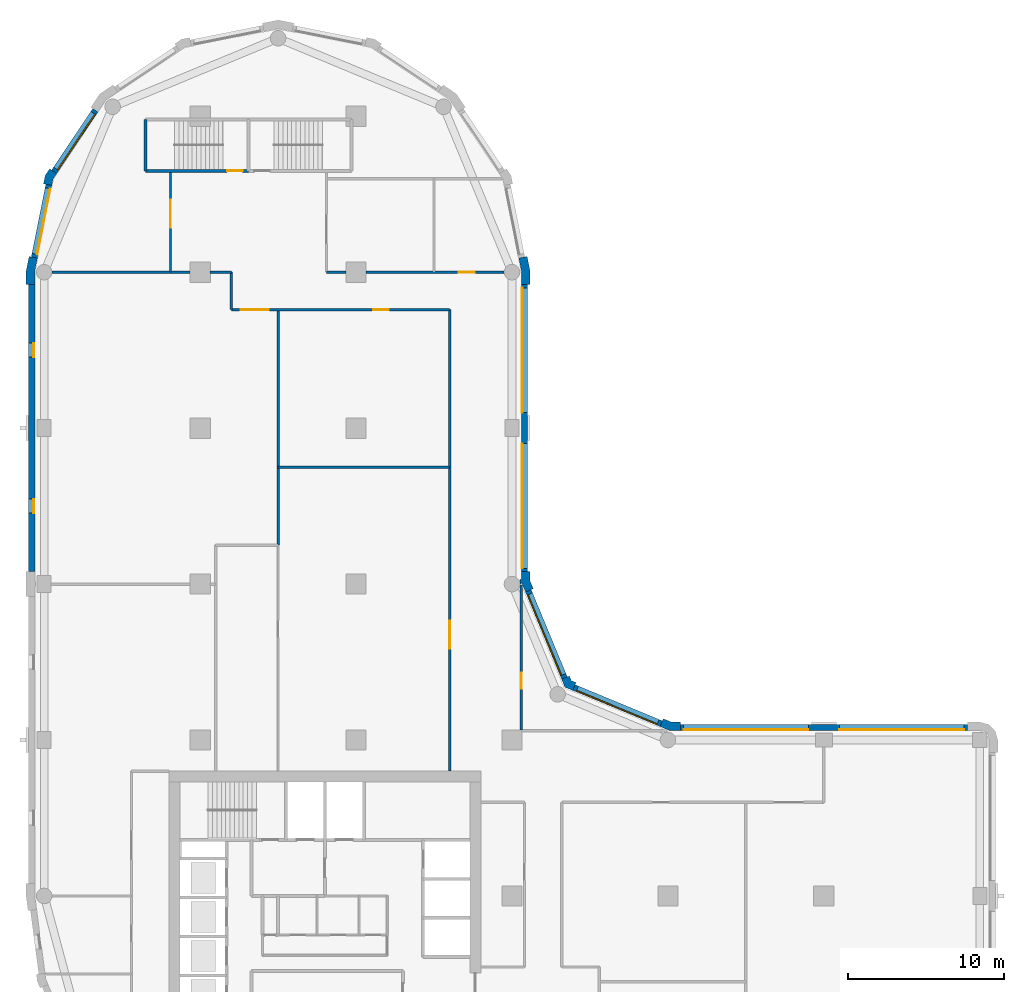
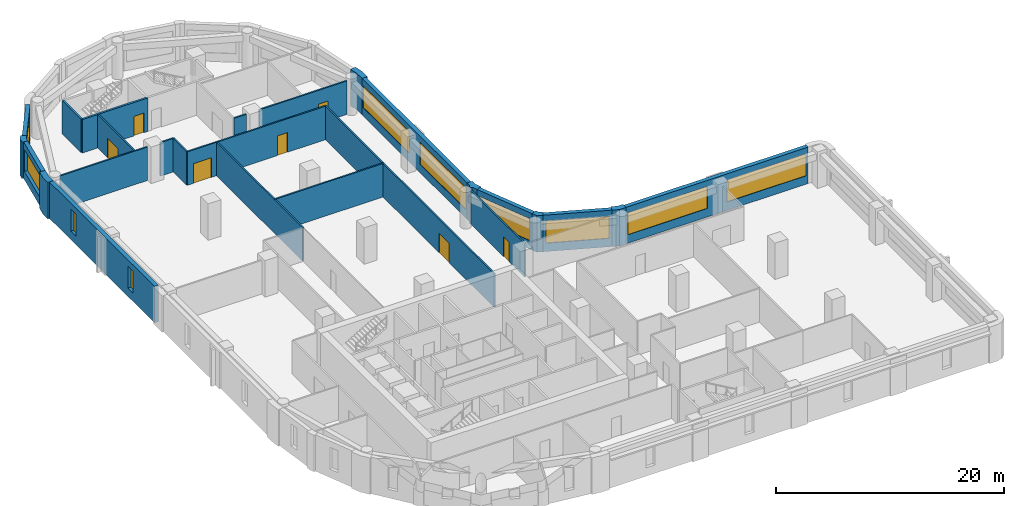
# One storey, part 5 of 9: 26 walls, 10 windows, 7 doors, 17 openings.
"""IFC4 building model written with IfcOpenShell, lengths in metres."""

from ifc_helpers import new_model, si_unit, direction, frame, frame_2d, origin, place, context, subcontext, project, spatial, polyline, rectangle, outline, extrude, material, layer, layer_set, type_object, element, fill, save


model = new_model("IFC4")

# Units and contexts
model_context = context("Model", 3, precision=1e-05, world=origin(), true_north=direction((0.0, 1.0)))
body_context = subcontext(model_context, "Body", "Model", "MODEL_VIEW")
ifc_project = project(units=[si_unit("LENGTHUNIT", "METRE"), si_unit("AREAUNIT", "SQUARE_METRE"), si_unit("VOLUMEUNIT", "CUBIC_METRE"), si_unit("PLANEANGLEUNIT", "RADIAN"), si_unit("MASSUNIT", "GRAM", prefix="KILO")], contexts=[model_context])

# Site, building, storey
site_placement = place(None, origin())
site = spatial("IfcSite", under=ifc_project, at=site_placement, CompositionType="ELEMENT")
building_placement = place(site_placement, origin())
building = spatial("IfcBuilding", under=site, at=building_placement, Name="Qaws Garden Tower", CompositionType="ELEMENT")
storey_placement = place(building_placement, frame((0.0, 0.0, 131.699951171875)))
storey = spatial("IfcBuildingStorey", under=building, at=storey_placement, Name="L31", CompositionType="ELEMENT", Elevation=131.699951171875)

# Wall, openings, windows
ifc_material_1 = material(Name="Clay facing brick masonry", Category="masonry")
ifc_layer_1 = layer(ifc_material_1, 0.39990234375)
ifc_layer_set_1 = layer_set([ifc_layer_1], Name="Clay facing brick masonry")
wall_type_1 = type_object("IfcWallType", Name="Brick infill wall 400", PredefinedType="SOLIDWALL", material=ifc_layer_set_1)
wall_1_placement = place(storey_placement, frame((59.199951171875, 30.800048828125, 0.0), z_axis=(0.0, 0.0, 1.0), x_axis=(-1.0, 0.0, 0.0)))
wall_1 = element("IfcWall", 1, at=wall_1_placement, inside=storey, type_object=wall_type_1, Name="E-L31-infill-07", PredefinedType="SOLIDWALL", context=body_context, shape_type="SweptSolid", body=[
    extrude(rectangle(XDim=18.39990234375, YDim=0.39990234375, at=frame_2d((9.199951171875, 0.0))), origin(), (0.0, 0.0, 1.0), 3.900146484375),
])
opening_1_placement = place(wall_1_placement, frame((0.199951171875, 0.0, 0.89990234375)))
opening_1 = element("IfcOpeningElement", 2, at=opening_1_placement, cuts=wall_1, Name="Opening W01", PredefinedType="OPENING", context=body_context, shape_type="SweptSolid", body=[
    extrude(rectangle(XDim=8.0, YDim=2.35009765625, at=frame_2d((4.0, 1.175048828125))), frame((0.0, 0.2099609375, 0.0), z_axis=(0.0, -1.0, 0.0), x_axis=(1.0, 0.0, 0.0)), (0.0, 0.0, 1.0), 0.419921875),
])
opening_2_placement = place(wall_1_placement, frame((10.199951171875, 0.0, 0.89990234375)))
opening_2 = element("IfcOpeningElement", 3, at=opening_2_placement, cuts=wall_1, Name="Opening W01", PredefinedType="OPENING", context=body_context, shape_type="SweptSolid", body=[
    extrude(rectangle(XDim=8.0, YDim=2.35009765625, at=frame_2d((4.0, 1.175048828125))), frame((0.0, 0.2099609375, 0.0), z_axis=(0.0, -1.0, 0.0), x_axis=(1.0, 0.0, 0.0)), (0.0, 0.0, 1.0), 0.419921875),
])
ifc_material_2 = material(Name="Aluminium framed window, clear glazing", Category="aluminium")
window_type_1 = type_object("IfcWindowType", Name="Ribbon window 8000 x 2350", PartitioningType="DOUBLE_PANEL_VERTICAL", PredefinedType="WINDOW", material=ifc_material_2)
window_1_placement = place(opening_1_placement, origin())
window_1 = element("IfcWindow", 4, at=window_1_placement, inside=storey, type_object=window_type_1, Name="E-L31-window-07-0", OverallHeight=2.35009765625, OverallWidth=8.0, PartitioningType="SINGLE_PANEL", PredefinedType="WINDOW", context=body_context, shape_type="SweptSolid", body=[
    extrude(rectangle(XDim=8.0, YDim=2.35009765625, at=frame_2d((4.0, 1.175048828125))), frame((0.0, 0.159912109375, 0.0), z_axis=(0.0, -1.0, 0.0), x_axis=(1.0, 0.0, 0.0)), (0.0, 0.0, 1.0), 0.06005859375),
])
fill(opening_1, window_1)
window_2_placement = place(opening_2_placement, origin())
window_2 = element("IfcWindow", 5, at=window_2_placement, inside=storey, type_object=window_type_1, Name="E-L31-window-08-0", OverallHeight=2.35009765625, OverallWidth=8.0, PartitioningType="SINGLE_PANEL", PredefinedType="WINDOW", context=body_context, shape_type="SweptSolid", body=[
    extrude(rectangle(XDim=8.0, YDim=2.35009765625, at=frame_2d((4.0, 1.175048828125))), frame((0.0, 0.159912109375, 0.0), z_axis=(0.0, -1.0, 0.0), x_axis=(1.0, 0.0, 0.0)), (0.0, 0.0, 1.0), 0.06005859375),
])
fill(opening_2, window_2)

# Wall, opening, window
wall_2_placement = place(storey_placement, frame((39.56689453125, 31.04541015625, 0.0), z_axis=(0.0, 0.0, 1.0), x_axis=(-0.923891000409, 0.382655745237, 0.0)))
wall_2 = element("IfcWall", 6, at=wall_2_placement, inside=storey, type_object=wall_type_1, Name="E-L31-infill-09", PredefinedType="SOLIDWALL", context=body_context, shape_type="SweptSolid", body=[
    extrude(rectangle(XDim=6.053466796875, YDim=0.39990234375, at=frame_2d((3.02685546875, 0.0))), origin(), (0.0, 0.0, 1.0), 3.900146484375),
])
opening_3_placement = place(wall_2_placement, frame((0.226806640625, 0.0, 0.89990234375)))
opening_3 = element("IfcOpeningElement", 7, at=opening_3_placement, cuts=wall_2, Name="Opening W04", PredefinedType="OPENING", context=body_context, shape_type="SweptSolid", body=[
    extrude(rectangle(XDim=5.60009765625, YDim=2.35009765625, at=frame_2d((2.800048828125, 1.175048828125))), frame((0.0, 0.2099609375, 0.0), z_axis=(0.0, -1.0, 0.0), x_axis=(1.0, 0.0, 0.0)), (0.0, 0.0, 1.0), 0.419921875),
])
ifc_material_3 = material(Name="Aluminium framed window, clear glazing", Category="aluminium")
window_type_2 = type_object("IfcWindowType", Name="Ribbon window 5600 x 2350", PartitioningType="DOUBLE_PANEL_VERTICAL", PredefinedType="WINDOW", material=ifc_material_3)
window_3_placement = place(opening_3_placement, origin())
window_3 = element("IfcWindow", 8, at=window_3_placement, inside=storey, type_object=window_type_2, Name="E-L31-window-09-0", OverallHeight=2.35009765625, OverallWidth=5.60009765625, PartitioningType="SINGLE_PANEL", PredefinedType="WINDOW", context=body_context, shape_type="SweptSolid", body=[
    extrude(rectangle(XDim=5.60009765625, YDim=2.35009765625, at=frame_2d((2.800048828125, 1.175048828125))), frame((0.0, 0.159912109375, 0.0), z_axis=(0.0, -1.0, 0.0), x_axis=(1.0, 0.0, 0.0)), (0.0, 0.0, 1.0), 0.06005859375),
])
fill(opening_3, window_3)

wall_3_placement = place(storey_placement, frame((33.36181640625, 33.97412109375, 0.0), z_axis=(0.0, 0.0, 1.0), x_axis=(-0.382655745237, 0.923891000409, 0.0)))
wall_3 = element("IfcWall", 9, at=wall_3_placement, inside=storey, type_object=wall_type_1, Name="E-L31-infill-10", PredefinedType="SOLIDWALL", context=body_context, shape_type="SweptSolid", body=[
    extrude(rectangle(XDim=6.053466796875, YDim=0.39990234375, at=frame_2d((3.02685546875, 0.0))), origin(), (0.0, 0.0, 1.0), 3.900146484375),
])
opening_4_placement = place(wall_3_placement, frame((0.226806640625, 0.0, 0.89990234375)))
opening_4 = element("IfcOpeningElement", 10, at=opening_4_placement, cuts=wall_3, Name="Opening W04", PredefinedType="OPENING", context=body_context, shape_type="SweptSolid", body=[
    extrude(rectangle(XDim=5.60009765625, YDim=2.35009765625, at=frame_2d((2.800048828125, 1.175048828125))), frame((0.0, 0.2099609375, 0.0), z_axis=(0.0, -1.0, 0.0), x_axis=(1.0, 0.0, 0.0)), (0.0, 0.0, 1.0), 0.419921875),
])
window_4_placement = place(opening_4_placement, origin())
window_4 = element("IfcWindow", 11, at=window_4_placement, inside=storey, type_object=window_type_2, Name="E-L31-window-10-0", OverallHeight=2.35009765625, OverallWidth=5.60009765625, PartitioningType="SINGLE_PANEL", PredefinedType="WINDOW", context=body_context, shape_type="SweptSolid", body=[
    extrude(rectangle(XDim=5.60009765625, YDim=2.35009765625, at=frame_2d((2.800048828125, 1.175048828125))), frame((0.0, 0.159912109375, 0.0), z_axis=(0.0, -1.0, 0.0), x_axis=(1.0, 0.0, 0.0)), (0.0, 0.0, 1.0), 0.06005859375),
])
fill(opening_4, window_4)

# Wall, openings, windows
wall_4_placement = place(storey_placement, frame((30.800048828125, 40.800048828125, 0.0), z_axis=(0.0, 0.0, 1.0), x_axis=(0.0, 1.0, 0.0)))
wall_4 = element("IfcWall", 12, at=wall_4_placement, inside=storey, type_object=wall_type_1, Name="E-L31-infill-11", PredefinedType="SOLIDWALL", context=body_context, shape_type="SweptSolid", body=[
    extrude(rectangle(XDim=18.39990234375, YDim=0.39990234375, at=frame_2d((9.199951171875, 0.0))), origin(), (0.0, 0.0, 1.0), 3.900146484375),
])
opening_5_placement = place(wall_4_placement, frame((0.199951171875, 0.0, 0.89990234375)))
opening_5 = element("IfcOpeningElement", 13, at=opening_5_placement, cuts=wall_4, Name="Opening W01", PredefinedType="OPENING", context=body_context, shape_type="SweptSolid", body=[
    extrude(rectangle(XDim=8.0, YDim=2.35009765625, at=frame_2d((4.0, 1.175048828125))), frame((0.0, 0.2099609375, 0.0), z_axis=(0.0, -1.0, 0.0), x_axis=(1.0, 0.0, 0.0)), (0.0, 0.0, 1.0), 0.419921875),
])
opening_6_placement = place(wall_4_placement, frame((10.199951171875, 0.0, 0.89990234375)))
opening_6 = element("IfcOpeningElement", 14, at=opening_6_placement, cuts=wall_4, Name="Opening W01", PredefinedType="OPENING", context=body_context, shape_type="SweptSolid", body=[
    extrude(rectangle(XDim=8.0, YDim=2.35009765625, at=frame_2d((4.0, 1.175048828125))), frame((0.0, 0.2099609375, 0.0), z_axis=(0.0, -1.0, 0.0), x_axis=(1.0, 0.0, 0.0)), (0.0, 0.0, 1.0), 0.419921875),
])
window_5_placement = place(opening_5_placement, origin())
window_5 = element("IfcWindow", 15, at=window_5_placement, inside=storey, type_object=window_type_1, Name="E-L31-window-11-0", OverallHeight=2.35009765625, OverallWidth=8.0, PartitioningType="SINGLE_PANEL", PredefinedType="WINDOW", context=body_context, shape_type="SweptSolid", body=[
    extrude(rectangle(XDim=8.0, YDim=2.35009765625, at=frame_2d((4.0, 1.175048828125))), frame((0.0, 0.159912109375, 0.0), z_axis=(0.0, -1.0, 0.0), x_axis=(1.0, 0.0, 0.0)), (0.0, 0.0, 1.0), 0.06005859375),
])
fill(opening_5, window_5)
window_6_placement = place(opening_6_placement, origin())
window_6 = element("IfcWindow", 16, at=window_6_placement, inside=storey, type_object=window_type_1, Name="E-L31-window-12-0", OverallHeight=2.35009765625, OverallWidth=8.0, PartitioningType="SINGLE_PANEL", PredefinedType="WINDOW", context=body_context, shape_type="SweptSolid", body=[
    extrude(rectangle(XDim=8.0, YDim=2.35009765625, at=frame_2d((4.0, 1.175048828125))), frame((0.0, 0.159912109375, 0.0), z_axis=(0.0, -1.0, 0.0), x_axis=(1.0, 0.0, 0.0)), (0.0, 0.0, 1.0), 0.06005859375),
])
fill(opening_6, window_6)

# Wall, opening, window
wall_5_placement = place(storey_placement, frame((3.28369140625, 70.385986328125, 0.0), z_axis=(0.0, 0.0, 1.0), x_axis=(-0.555541552266, -0.831488775454, 0.0)))
wall_5 = element("IfcWall", 17, at=wall_5_placement, inside=storey, type_object=wall_type_1, Name="E-L31-infill-19", PredefinedType="SOLIDWALL", context=body_context, shape_type="SweptSolid", body=[
    extrude(rectangle(XDim=4.752685546875, YDim=0.39990234375, at=frame_2d((2.37646484375, 0.0))), origin(), (0.0, 0.0, 1.0), 3.900146484375),
])
opening_7_placement = place(wall_5_placement, frame((0.226318359375, 0.0, 0.89990234375)))
opening_7 = element("IfcOpeningElement", 18, at=opening_7_placement, cuts=wall_5, Name="Opening W06", PredefinedType="OPENING", context=body_context, shape_type="SweptSolid", body=[
    extrude(rectangle(XDim=4.300048828125, YDim=2.35009765625, at=frame_2d((2.14990234375, 1.175048828125))), frame((0.0, 0.2099609375, 0.0), z_axis=(0.0, -1.0, 0.0), x_axis=(1.0, 0.0, 0.0)), (0.0, 0.0, 1.0), 0.419921875),
])
ifc_material_4 = material(Name="Aluminium framed window, clear glazing", Category="aluminium")
window_type_3 = type_object("IfcWindowType", Name="Ribbon window 4300 x 2350", PartitioningType="DOUBLE_PANEL_VERTICAL", PredefinedType="WINDOW", material=ifc_material_4)
window_7_placement = place(opening_7_placement, origin())
window_7 = element("IfcWindow", 19, at=window_7_placement, inside=storey, type_object=window_type_3, Name="E-L31-window-19-0", OverallHeight=2.35009765625, OverallWidth=4.300048828125, PartitioningType="SINGLE_PANEL", PredefinedType="WINDOW", context=body_context, shape_type="SweptSolid", body=[
    extrude(rectangle(XDim=4.300048828125, YDim=2.35009765625, at=frame_2d((2.14990234375, 1.175048828125))), frame((0.0, 0.159912109375, 0.0), z_axis=(0.0, -1.0, 0.0), x_axis=(1.0, 0.0, 0.0)), (0.0, 0.0, 1.0), 0.06005859375),
])
fill(opening_7, window_7)

wall_6_placement = place(storey_placement, frame((0.298583984375, 65.60205078125, 0.0), z_axis=(0.0, 0.0, 1.0), x_axis=(-0.195098533057, -0.98078364709, 0.0)))
wall_6 = element("IfcWall", 20, at=wall_6_placement, inside=storey, type_object=wall_type_1, Name="E-L31-infill-20", PredefinedType="SOLIDWALL", context=body_context, shape_type="SweptSolid", body=[
    extrude(rectangle(XDim=4.752685546875, YDim=0.39990234375, at=frame_2d((2.37646484375, 0.0))), origin(), (0.0, 0.0, 1.0), 3.900146484375),
])
opening_8_placement = place(wall_6_placement, frame((0.226318359375, 0.0, 0.89990234375)))
opening_8 = element("IfcOpeningElement", 21, at=opening_8_placement, cuts=wall_6, Name="Opening W06", PredefinedType="OPENING", context=body_context, shape_type="SweptSolid", body=[
    extrude(rectangle(XDim=4.300048828125, YDim=2.35009765625, at=frame_2d((2.14990234375, 1.175048828125))), frame((0.0, 0.2099609375, 0.0), z_axis=(0.0, -1.0, 0.0), x_axis=(1.0, 0.0, 0.0)), (0.0, 0.0, 1.0), 0.419921875),
])
window_8_placement = place(opening_8_placement, origin())
window_8 = element("IfcWindow", 22, at=window_8_placement, inside=storey, type_object=window_type_3, Name="E-L31-window-20-0", OverallHeight=2.35009765625, OverallWidth=4.300048828125, PartitioningType="SINGLE_PANEL", PredefinedType="WINDOW", context=body_context, shape_type="SweptSolid", body=[
    extrude(rectangle(XDim=4.300048828125, YDim=2.35009765625, at=frame_2d((2.14990234375, 1.175048828125))), frame((0.0, 0.159912109375, 0.0), z_axis=(0.0, -1.0, 0.0), x_axis=(1.0, 0.0, 0.0)), (0.0, 0.0, 1.0), 0.06005859375),
])
fill(opening_8, window_8)

# Wall, openings, windows
wall_7_placement = place(storey_placement, frame((-0.800048828125, 59.199951171875, 0.0), z_axis=(0.0, 0.0, 1.0), x_axis=(0.0, -1.0, 0.0)))
wall_7 = element("IfcWall", 23, at=wall_7_placement, inside=storey, type_object=wall_type_1, Name="E-L31-infill-21", PredefinedType="SOLIDWALL", context=body_context, shape_type="SweptSolid", body=[
    extrude(rectangle(XDim=18.39990234375, YDim=0.39990234375, at=frame_2d((9.199951171875, 0.0))), origin(), (0.0, 0.0, 1.0), 3.900146484375),
])
opening_9_placement = place(wall_7_placement, frame((3.75, 0.0, 0.89990234375)))
opening_9 = element("IfcOpeningElement", 24, at=opening_9_placement, cuts=wall_7, Name="Opening W09", PredefinedType="OPENING", context=body_context, shape_type="SweptSolid", body=[
    extrude(rectangle(XDim=0.89990234375, YDim=2.35009765625, at=frame_2d((0.449951171875, 1.175048828125))), frame((0.0, 0.2099609375, 0.0), z_axis=(0.0, -1.0, 0.0), x_axis=(1.0, 0.0, 0.0)), (0.0, 0.0, 1.0), 0.419921875),
])
opening_10_placement = place(wall_7_placement, frame((13.75, 0.0, 0.89990234375)))
opening_10 = element("IfcOpeningElement", 25, at=opening_10_placement, cuts=wall_7, Name="Opening W09", PredefinedType="OPENING", context=body_context, shape_type="SweptSolid", body=[
    extrude(rectangle(XDim=0.89990234375, YDim=2.35009765625, at=frame_2d((0.449951171875, 1.175048828125))), frame((0.0, 0.2099609375, 0.0), z_axis=(0.0, -1.0, 0.0), x_axis=(1.0, 0.0, 0.0)), (0.0, 0.0, 1.0), 0.419921875),
])
ifc_material_5 = material(Name="Aluminium framed window, clear glazing", Category="aluminium")
window_type_4 = type_object("IfcWindowType", Name="Slit window 900 x 2350", PartitioningType="SINGLE_PANEL", PredefinedType="WINDOW", material=ifc_material_5)
window_9_placement = place(opening_9_placement, origin())
window_9 = element("IfcWindow", 26, at=window_9_placement, inside=storey, type_object=window_type_4, Name="E-L31-window-21-0", OverallHeight=2.35009765625, OverallWidth=0.89990234375, PartitioningType="SINGLE_PANEL", PredefinedType="WINDOW", context=body_context, shape_type="SweptSolid", body=[
    extrude(rectangle(XDim=0.89990234375, YDim=2.35009765625, at=frame_2d((0.449951171875, 1.175048828125))), frame((0.0, 0.159912109375, 0.0), z_axis=(0.0, -1.0, 0.0), x_axis=(1.0, 0.0, 0.0)), (0.0, 0.0, 1.0), 0.06005859375),
])
fill(opening_9, window_9)
window_10_placement = place(opening_10_placement, origin())
window_10 = element("IfcWindow", 27, at=window_10_placement, inside=storey, type_object=window_type_4, Name="E-L31-window-22-0", OverallHeight=2.35009765625, OverallWidth=0.89990234375, PartitioningType="SINGLE_PANEL", PredefinedType="WINDOW", context=body_context, shape_type="SweptSolid", body=[
    extrude(rectangle(XDim=0.89990234375, YDim=2.35009765625, at=frame_2d((0.449951171875, 1.175048828125))), frame((0.0, 0.159912109375, 0.0), z_axis=(0.0, -1.0, 0.0), x_axis=(1.0, 0.0, 0.0)), (0.0, 0.0, 1.0), 0.06005859375),
])
fill(opening_10, window_10)

# Walls
ifc_material_6 = material(Name="Clay facing brick masonry", Category="masonry")
ifc_layer_2 = layer(ifc_material_6, 0.550048828125)
ifc_layer_set_2 = layer_set([ifc_layer_2], Name="Clay facing brick masonry")
wall_type_2 = type_object("IfcWallType", Name="Brick kink pier 550 x 600", PredefinedType="SOLIDWALL", material=ifc_layer_set_2)
placement = place(storey_placement, origin())
element("IfcWall", 28, at=placement, inside=storey, type_object=wall_type_2, Name="E-L31-pier-20", PredefinedType="SOLIDWALL", context=body_context, shape_type="SweptSolid", body=[
    extrude(outline(polyline([(0.47705078125, 66.545166015625), (0.352294921875, 66.628662109375), (0.05859375, 66.18896484375), (-0.044677734375, 65.67041015625), (0.1025390625, 65.64111328125), (0.494873046875, 65.56298828125), (0.57666015625, 65.974365234375), (0.8095703125, 66.322998046875), (0.47705078125, 66.545166015625)])), origin(), (0.0, 0.0, 1.0), 3.900146484375),
])
ifc_material_7 = material(Name="Clay facing brick masonry", Category="masonry")
ifc_layer_3 = layer(ifc_material_7, 0.550048828125)
ifc_layer_set_3 = layer_set([ifc_layer_3], Name="Clay facing brick masonry")
wall_type_3 = type_object("IfcWallType", Name="Brick pier 550 x 1600", PredefinedType="SOLIDWALL", material=ifc_layer_set_3)
element("IfcWall", 29, at=placement, inside=storey, type_object=wall_type_3, Name="E-L31-pier-09", PredefinedType="SOLIDWALL", context=body_context, shape_type="SweptSolid", body=[
    extrude(outline(polyline([(40.800048828125, 31.0), (40.800048828125, 31.14990234375), (40.228759765625, 31.14990234375), (39.700927734375, 31.36865234375), (39.6435546875, 31.22998046875), (39.490478515625, 30.860595703125), (40.119384765625, 30.60009765625), (40.800048828125, 30.60009765625), (40.800048828125, 31.0)])), origin(), (0.0, 0.0, 1.0), 3.900146484375),
])
element("IfcWall", 30, at=placement, inside=storey, type_object=wall_type_3, Name="E-L31-pier-10", PredefinedType="SOLIDWALL", context=body_context, shape_type="SweptSolid", body=[
    extrude(outline(polyline([(34.05078125, 33.546630859375), (34.108154296875, 33.685302734375), (33.80908203125, 33.80908203125), (33.685302734375, 34.108154296875), (33.546630859375, 34.05078125), (33.177001953125, 33.897705078125), (33.38818359375, 33.38818359375), (33.897705078125, 33.177001953125), (34.05078125, 33.546630859375)])), origin(), (0.0, 0.0, 1.0), 3.900146484375),
])
element("IfcWall", 31, at=placement, inside=storey, type_object=wall_type_3, Name="E-L31-pier-11", PredefinedType="SOLIDWALL", context=body_context, shape_type="SweptSolid", body=[
    extrude(outline(polyline([(30.6201171875, 39.995361328125), (30.6201171875, 40.071044921875), (30.860595703125, 39.490478515625), (31.22998046875, 39.6435546875), (31.36865234375, 39.700927734375), (31.14990234375, 40.228759765625), (31.14990234375, 40.800048828125), (31.0, 40.800048828125), (30.60009765625, 40.800048828125), (30.60009765625, 40.29541015625), (30.5, 40.29541015625), (30.5, 39.995361328125), (30.6201171875, 39.995361328125)])), origin(), (0.0, 0.0, 1.0), 3.900146484375),
])
element("IfcWall", 32, at=placement, inside=storey, type_object=wall_type_3, Name="E-L31-pier-13", PredefinedType="SOLIDWALL", context=body_context, shape_type="SweptSolid", body=[
    extrude(outline(polyline([(31.0, 59.199951171875), (31.14990234375, 59.199951171875), (31.14990234375, 60.11328125), (30.971923828125, 61.009033203125), (30.82470703125, 60.979736328125), (30.432373046875, 60.901611328125), (30.60009765625, 60.05908203125), (30.60009765625, 59.199951171875), (31.0, 59.199951171875)])), origin(), (0.0, 0.0, 1.0), 3.900146484375),
])
element("IfcWall", 33, at=placement, inside=storey, type_object=wall_type_3, Name="E-L31-pier-21", PredefinedType="SOLIDWALL", context=body_context, shape_type="SweptSolid", body=[
    extrude(outline(polyline([(-0.82470703125, 60.979736328125), (-0.971923828125, 61.009033203125), (-1.14990234375, 60.11328125), (-1.14990234375, 59.199951171875), (-1.0, 59.199951171875), (-0.60009765625, 59.199951171875), (-0.60009765625, 60.05908203125), (-0.432373046875, 60.901611328125), (-0.82470703125, 60.979736328125)])), origin(), (0.0, 0.0, 1.0), 3.900146484375),
])

# Wall, opening, door
ifc_material_8 = material(Name="Concrete C70", Category="concrete")
ifc_layer_4 = layer(ifc_material_8, 0.199951171875)
ifc_layer_set_4 = layer_set([ifc_layer_4], Name="Concrete C70")
wall_type_4 = type_object("IfcWallType", Name="Core shaft wall 200 C70", PredefinedType="SHEAR", material=ifc_layer_set_4)
wall_14_placement = place(storey_placement, frame((6.5, 66.5, 0.0), z_axis=(0.0, 0.0, 1.0), x_axis=(1.0, 0.0, 0.0)))
wall_14 = element("IfcWall", 34, at=wall_14_placement, inside=storey, type_object=wall_type_4, Name="Shaft wall", PredefinedType="SHEAR", context=body_context, shape_type="SweptSolid", body=[
    extrude(rectangle(XDim=6.60009765625, YDim=0.199951171875, at=frame_2d((3.300048828125, 0.0))), origin(), (0.0, 0.0, 1.0), 3.580078125),
])
opening_11_placement = place(wall_14_placement, frame((5.22509765625, 0.0, 0.0)))
opening_11 = element("IfcOpeningElement", 35, at=opening_11_placement, cuts=wall_14, Name="Opening SD13", PredefinedType="OPENING", context=body_context, shape_type="SweptSolid", body=[
    extrude(rectangle(XDim=1.0, YDim=2.10009765625, at=frame_2d((0.5, 1.050048828125))), frame((0.0, 0.10986328125, 0.0), z_axis=(0.0, -1.0, 0.0), x_axis=(1.0, 0.0, 0.0)), (0.0, 0.0, 1.0), 0.219970703125),
])
ifc_material_9 = material(Name="Steel S235", Category="steel")
door_type_1 = type_object("IfcDoorType", Name="Stair door 1000x2100", OperationType="SINGLE_SWING_RIGHT", PredefinedType="DOOR", material=ifc_material_9)
door_1_placement = place(opening_11_placement, origin())
door_1 = element("IfcDoor", 36, at=door_1_placement, inside=storey, type_object=door_type_1, Name="Stair 6 door", OperationType="SINGLE_SWING_RIGHT", OverallHeight=2.10009765625, OverallWidth=1.0, PredefinedType="DOOR", context=body_context, shape_type="SweptSolid", body=[
    extrude(rectangle(XDim=1.0, YDim=2.10009765625, at=frame_2d((0.5, 1.050048828125))), frame((0.0, 0.02490234375, 0.0), z_axis=(0.0, -1.0, 0.0), x_axis=(1.0, 0.0, 0.0)), (0.0, 0.0, 1.0), 0.050048828125),
])
fill(opening_11, door_1)

# Wall
wall_15_placement = place(storey_placement, frame((6.5, 66.5, 0.0), z_axis=(0.0, 0.0, 1.0), x_axis=(0.0, 1.0, 0.0)))
element("IfcWall", 37, at=wall_15_placement, inside=storey, type_object=wall_type_4, Name="Shaft wall", PredefinedType="SHEAR", context=body_context, shape_type="SweptSolid", body=[
    extrude(rectangle(XDim=3.300048828125, YDim=0.199951171875, at=frame_2d((1.64990234375, 0.0))), origin(), (0.0, 0.0, 1.0), 3.580078125),
])

# Wall, opening, door
ifc_material_10 = material(Name="Gypsum board partition")
ifc_layer_5 = layer(ifc_material_10, 0.14990234375)
ifc_layer_set_5 = layer_set([ifc_layer_5], Name="Gypsum board partition")
wall_type_5 = type_object("IfcWallType", Name="PARTITION 150 EI 60", PredefinedType="PARTITIONING", material=ifc_layer_set_5)
wall_16_placement = place(storey_placement, frame((8.10009765625, 60.0, 0.0), z_axis=(0.0, 0.0, 1.0), x_axis=(0.0, 1.0, 0.0)))
wall_16 = element("IfcWall", 38, at=wall_16_placement, inside=storey, type_object=wall_type_5, Name="O-L31-wall-005", PredefinedType="PARTITIONING", context=body_context, shape_type="SweptSolid", body=[
    extrude(rectangle(XDim=6.39990234375, YDim=0.14990234375, at=frame_2d((3.199951171875, 0.0))), origin(), (0.0, 0.0, 1.0), 3.580078125),
])
opening_12_placement = place(wall_16_placement, frame((2.85009765625, 0.0, 0.0)))
opening_12 = element("IfcOpeningElement", 39, at=opening_12_placement, cuts=wall_16, Name="Opening B107", PredefinedType="OPENING", context=body_context, shape_type="SweptSolid", body=[
    extrude(rectangle(XDim=1.800048828125, YDim=2.10009765625, at=frame_2d((0.89990234375, 1.050048828125))), frame((0.0, 0.0849609375, 0.0), z_axis=(0.0, -1.0, 0.0), x_axis=(1.0, 0.0, 0.0)), (0.0, 0.0, 1.0), 0.169921875),
])
ifc_material_11 = material(Name="Timber door leaf", Category="wood")
door_type_2 = type_object("IfcDoorType", Name="DOUBLE DOOR 1800 X 2100", OperationType="DOUBLE_DOOR_SINGLE_SWING", PredefinedType="DOOR", material=ifc_material_11)
door_2_placement = place(opening_12_placement, origin())
door_2 = element("IfcDoor", 40, at=door_2_placement, inside=storey, type_object=door_type_2, Name="O-L31-door-007", OperationType="DOUBLE_DOOR_SINGLE_SWING", OverallHeight=2.10009765625, OverallWidth=1.800048828125, PredefinedType="DOOR", context=body_context, shape_type="SweptSolid", body=[
    extrude(rectangle(XDim=1.800048828125, YDim=2.10009765625, at=frame_2d((0.89990234375, 1.050048828125))), frame((0.0, 0.02490234375, 0.0), z_axis=(0.0, -1.0, 0.0), x_axis=(1.0, 0.0, 0.0)), (0.0, 0.0, 1.0), 0.050048828125),
])
fill(opening_12, door_2)

# Walls
wall_17_placement = place(storey_placement, frame((12.0, 57.60009765625, 0.0), z_axis=(0.0, 0.0, 1.0), x_axis=(0.0, 1.0, 0.0)))
element("IfcWall", 41, at=wall_17_placement, inside=storey, type_object=wall_type_5, Name="O-L31-wall-007", PredefinedType="PARTITIONING", context=body_context, shape_type="SweptSolid", body=[
    extrude(rectangle(XDim=2.39990234375, YDim=0.14990234375, at=frame_2d((1.199951171875, 0.0))), origin(), (0.0, 0.0, 1.0), 3.580078125),
])
wall_18_placement = place(storey_placement, frame((15.0, 42.5, 0.0), z_axis=(0.0, 0.0, 1.0), x_axis=(0.0, 1.0, 0.0)))
element("IfcWall", 42, at=wall_18_placement, inside=storey, type_object=wall_type_5, Name="O-L31-wall-009", PredefinedType="PARTITIONING", context=body_context, shape_type="SweptSolid", body=[
    extrude(rectangle(XDim=15.10009765625, YDim=0.14990234375, at=frame_2d((7.550048828125, 0.0))), origin(), (0.0, 0.0, 1.0), 3.580078125),
])

# Wall, opening, door
wall_19_placement = place(storey_placement, frame((26.0, 28.0, 0.0), z_axis=(0.0, 0.0, 1.0), x_axis=(0.0, 1.0, 0.0)))
wall_19 = element("IfcWall", 43, at=wall_19_placement, inside=storey, type_object=wall_type_5, Name="O-L31-wall-013", PredefinedType="PARTITIONING", context=body_context, shape_type="SweptSolid", body=[
    extrude(rectangle(XDim=29.60009765625, YDim=0.14990234375, at=frame_2d((14.800048828125, 0.0))), origin(), (0.0, 0.0, 1.0), 3.580078125),
])
opening_13_placement = place(wall_19_placement, frame((7.85009765625, 0.0, 0.0)))
opening_13 = element("IfcOpeningElement", 44, at=opening_13_placement, cuts=wall_19, Name="Opening B103", PredefinedType="OPENING", context=body_context, shape_type="SweptSolid", body=[
    extrude(rectangle(XDim=1.800048828125, YDim=2.10009765625, at=frame_2d((0.89990234375, 1.050048828125))), frame((0.0, 0.0849609375, 0.0), z_axis=(0.0, -1.0, 0.0), x_axis=(1.0, 0.0, 0.0)), (0.0, 0.0, 1.0), 0.169921875),
])
door_3_placement = place(opening_13_placement, origin())
door_3 = element("IfcDoor", 45, at=door_3_placement, inside=storey, type_object=door_type_2, Name="O-L31-door-003", OperationType="DOUBLE_DOOR_SINGLE_SWING", OverallHeight=2.10009765625, OverallWidth=1.800048828125, PredefinedType="DOOR", context=body_context, shape_type="SweptSolid", body=[
    extrude(rectangle(XDim=1.800048828125, YDim=2.10009765625, at=frame_2d((0.89990234375, 1.050048828125))), frame((0.0, 0.02490234375, 0.0), z_axis=(0.0, -1.0, 0.0), x_axis=(1.0, 0.0, 0.0)), (0.0, 0.0, 1.0), 0.050048828125),
])
fill(opening_13, door_3)

wall_20_placement = place(storey_placement, frame((30.60009765625, 30.64990234375, 0.0), z_axis=(0.0, 0.0, 1.0), x_axis=(0.0, 1.0, 0.0)))
wall_20 = element("IfcWall", 46, at=wall_20_placement, inside=storey, type_object=wall_type_5, Name="O-L31-wall-014", PredefinedType="PARTITIONING", context=body_context, shape_type="SweptSolid", body=[
    extrude(rectangle(XDim=9.288330078125, YDim=0.14990234375, at=frame_2d((4.64404296875, 0.0))), origin(), (0.0, 0.0, 1.0), 3.580078125),
])
opening_14_placement = place(wall_20_placement, frame((2.64990234375, 0.0, 0.0)))
opening_14 = element("IfcOpeningElement", 47, at=opening_14_placement, cuts=wall_20, Name="Opening B110", PredefinedType="OPENING", context=body_context, shape_type="SweptSolid", body=[
    extrude(rectangle(XDim=1.0, YDim=2.10009765625, at=frame_2d((0.5, 1.050048828125))), frame((0.0, 0.0849609375, 0.0), z_axis=(0.0, -1.0, 0.0), x_axis=(1.0, 0.0, 0.0)), (0.0, 0.0, 1.0), 0.169921875),
])
ifc_material_12 = material(Name="Timber door leaf", Category="wood")
door_type_3 = type_object("IfcDoorType", Name="TENANCY ENTRANCE DOOR 1000 X 2100", OperationType="SINGLE_SWING_LEFT", PredefinedType="DOOR", material=ifc_material_12)
door_4_placement = place(opening_14_placement, frame((1.0, 0.0, 0.0), z_axis=(0.0, 0.0, 1.0), x_axis=(-1.0, 0.0, 0.0)))
door_4 = element("IfcDoor", 48, at=door_4_placement, inside=storey, type_object=door_type_3, Name="O-L31-door-010", OperationType="SINGLE_SWING_LEFT", OverallHeight=2.10009765625, OverallWidth=1.0, PredefinedType="DOOR", context=body_context, shape_type="SweptSolid", body=[
    extrude(rectangle(XDim=1.0, YDim=2.10009765625, at=frame_2d((0.5, 1.050048828125))), frame((0.0, 0.02490234375, 0.0), z_axis=(0.0, -1.0, 0.0), x_axis=(1.0, 0.0, 0.0)), (0.0, 0.0, 1.0), 0.050048828125),
])
fill(opening_14, door_4)

# Wall
wall_21_placement = place(storey_placement, frame((15.0, 47.5, 0.0), z_axis=(0.0, 0.0, 1.0), x_axis=(1.0, 0.0, 0.0)))
element("IfcWall", 49, at=wall_21_placement, inside=storey, type_object=wall_type_5, Name="O-L31-wall-043", PredefinedType="PARTITIONING", context=body_context, shape_type="SweptSolid", body=[
    extrude(rectangle(XDim=11.0, YDim=0.14990234375, at=frame_2d((5.5, 0.0))), origin(), (0.0, 0.0, 1.0), 3.580078125),
])

# Wall, openings, doors
wall_22_placement = place(storey_placement, frame((12.0, 57.60009765625, 0.0), z_axis=(0.0, 0.0, 1.0), x_axis=(1.0, 0.0, 0.0)))
wall_22 = element("IfcWall", 50, at=wall_22_placement, inside=storey, type_object=wall_type_5, Name="O-L31-wall-044", PredefinedType="PARTITIONING", context=body_context, shape_type="SweptSolid", body=[
    extrude(rectangle(XDim=14.0, YDim=0.14990234375, at=frame_2d((7.0, 0.0))), origin(), (0.0, 0.0, 1.0), 3.580078125),
])
opening_15_placement = place(wall_22_placement, frame((9.10009765625, 0.0, 0.0)))
opening_15 = element("IfcOpeningElement", 51, at=opening_15_placement, cuts=wall_22, Name="Opening B104", PredefinedType="OPENING", context=body_context, shape_type="SweptSolid", body=[
    extrude(rectangle(XDim=1.0, YDim=2.10009765625, at=frame_2d((0.5, 1.050048828125))), frame((0.0, 0.0849609375, 0.0), z_axis=(0.0, -1.0, 0.0), x_axis=(1.0, 0.0, 0.0)), (0.0, 0.0, 1.0), 0.169921875),
])
opening_16_placement = place(wall_22_placement, frame((0.60009765625, 0.0, 0.0)))
opening_16 = element("IfcOpeningElement", 52, at=opening_16_placement, cuts=wall_22, Name="Opening B105", PredefinedType="OPENING", context=body_context, shape_type="SweptSolid", body=[
    extrude(rectangle(XDim=1.800048828125, YDim=2.10009765625, at=frame_2d((0.89990234375, 1.050048828125))), frame((0.0, 0.0849609375, 0.0), z_axis=(0.0, -1.0, 0.0), x_axis=(1.0, 0.0, 0.0)), (0.0, 0.0, 1.0), 0.169921875),
])
door_5_placement = place(opening_16_placement, frame((1.800048828125, 0.0, 0.0), z_axis=(0.0, 0.0, 1.0), x_axis=(-1.0, 0.0, 0.0)))
door_5 = element("IfcDoor", 53, at=door_5_placement, inside=storey, type_object=door_type_2, Name="O-L31-door-005", OperationType="DOUBLE_DOOR_SINGLE_SWING", OverallHeight=2.10009765625, OverallWidth=1.800048828125, PredefinedType="DOOR", context=body_context, shape_type="SweptSolid", body=[
    extrude(rectangle(XDim=1.800048828125, YDim=2.10009765625, at=frame_2d((0.89990234375, 1.050048828125))), frame((0.0, 0.02490234375, 0.0), z_axis=(0.0, -1.0, 0.0), x_axis=(1.0, 0.0, 0.0)), (0.0, 0.0, 1.0), 0.050048828125),
])
fill(opening_16, door_5)
door_6_placement = place(opening_15_placement, frame((1.0, 0.0, 0.0), z_axis=(0.0, 0.0, 1.0), x_axis=(-1.0, 0.0, 0.0)))
door_6 = element("IfcDoor", 54, at=door_6_placement, inside=storey, type_object=door_type_3, Name="O-L31-door-004", OperationType="SINGLE_SWING_LEFT", OverallHeight=2.10009765625, OverallWidth=1.0, PredefinedType="DOOR", context=body_context, shape_type="SweptSolid", body=[
    extrude(rectangle(XDim=1.0, YDim=2.10009765625, at=frame_2d((0.5, 1.050048828125))), frame((0.0, 0.02490234375, 0.0), z_axis=(0.0, -1.0, 0.0), x_axis=(1.0, 0.0, 0.0)), (0.0, 0.0, 1.0), 0.050048828125),
])
fill(opening_15, door_6)

# Walls
wall_23_placement = place(storey_placement, frame((0.5, 60.0, 0.0), z_axis=(0.0, 0.0, 1.0), x_axis=(1.0, 0.0, 0.0)))
element("IfcWall", 55, at=wall_23_placement, inside=storey, type_object=wall_type_5, Name="O-L31-wall-045", PredefinedType="PARTITIONING", context=body_context, shape_type="SweptSolid", body=[
    extrude(rectangle(XDim=8.85009765625, YDim=0.14990234375, at=frame_2d((4.425048828125, 0.0))), origin(), (0.0, 0.0, 1.0), 3.580078125),
])
wall_24_placement = place(storey_placement, frame((10.64990234375, 60.0, 0.0), z_axis=(0.0, 0.0, 1.0), x_axis=(1.0, 0.0, 0.0)))
element("IfcWall", 56, at=wall_24_placement, inside=storey, type_object=wall_type_5, Name="O-L31-wall-046", PredefinedType="PARTITIONING", context=body_context, shape_type="SweptSolid", body=[
    extrude(rectangle(XDim=1.35009765625, YDim=0.14990234375, at=frame_2d((0.675048828125, 0.0))), origin(), (0.0, 0.0, 1.0), 3.580078125),
])
wall_25_placement = place(storey_placement, frame((18.10009765625, 60.0, 0.0), z_axis=(0.0, 0.0, 1.0), x_axis=(1.0, 0.0, 0.0)))
element("IfcWall", 57, at=wall_25_placement, inside=storey, type_object=wall_type_5, Name="O-L31-wall-047", PredefinedType="PARTITIONING", context=body_context, shape_type="SweptSolid", body=[
    extrude(rectangle(XDim=1.25, YDim=0.14990234375, at=frame_2d((0.625, 0.0))), origin(), (0.0, 0.0, 1.0), 3.580078125),
])

# Wall, opening, door
wall_26_placement = place(storey_placement, frame((20.64990234375, 60.0, 0.0), z_axis=(0.0, 0.0, 1.0), x_axis=(1.0, 0.0, 0.0)))
wall_26 = element("IfcWall", 58, at=wall_26_placement, inside=storey, type_object=wall_type_5, Name="O-L31-wall-048", PredefinedType="PARTITIONING", context=body_context, shape_type="SweptSolid", body=[
    extrude(rectangle(XDim=8.85009765625, YDim=0.14990234375, at=frame_2d((4.425048828125, 0.0))), origin(), (0.0, 0.0, 1.0), 3.580078125),
])
opening_17_placement = place(wall_26_placement, frame((5.949951171875, 0.0, 0.0)))
opening_17 = element("IfcOpeningElement", 59, at=opening_17_placement, cuts=wall_26, Name="Opening B109", PredefinedType="OPENING", context=body_context, shape_type="SweptSolid", body=[
    extrude(rectangle(XDim=1.0, YDim=2.10009765625, at=frame_2d((0.5, 1.050048828125))), frame((0.0, 0.0849609375, 0.0), z_axis=(0.0, -1.0, 0.0), x_axis=(1.0, 0.0, 0.0)), (0.0, 0.0, 1.0), 0.169921875),
])
door_7_placement = place(opening_17_placement, origin())
door_7 = element("IfcDoor", 60, at=door_7_placement, inside=storey, type_object=door_type_3, Name="O-L31-door-009", OperationType="SINGLE_SWING_RIGHT", OverallHeight=2.10009765625, OverallWidth=1.0, PredefinedType="DOOR", context=body_context, shape_type="SweptSolid", body=[
    extrude(rectangle(XDim=1.0, YDim=2.10009765625, at=frame_2d((0.5, 1.050048828125))), frame((0.0, 0.02490234375, 0.0), z_axis=(0.0, -1.0, 0.0), x_axis=(1.0, 0.0, 0.0)), (0.0, 0.0, 1.0), 0.050048828125),
])
fill(opening_17, door_7)

save(model, "model.ifc")
